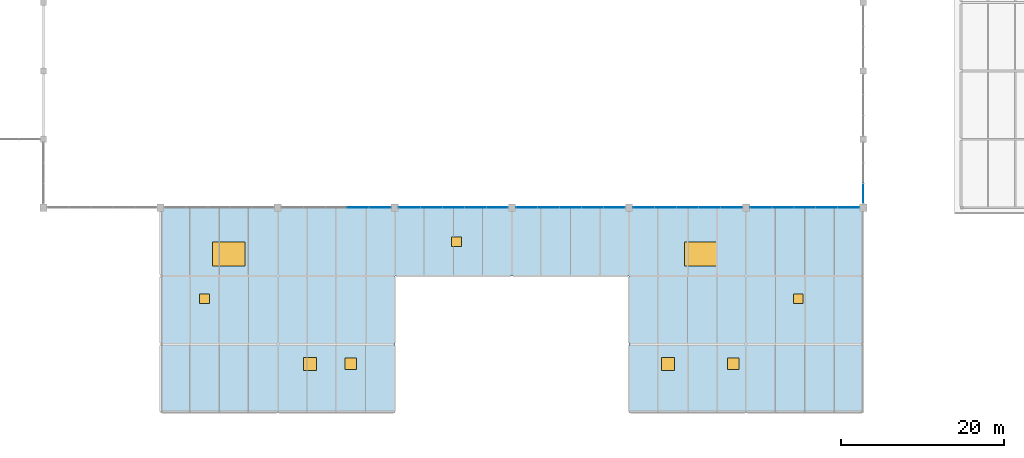
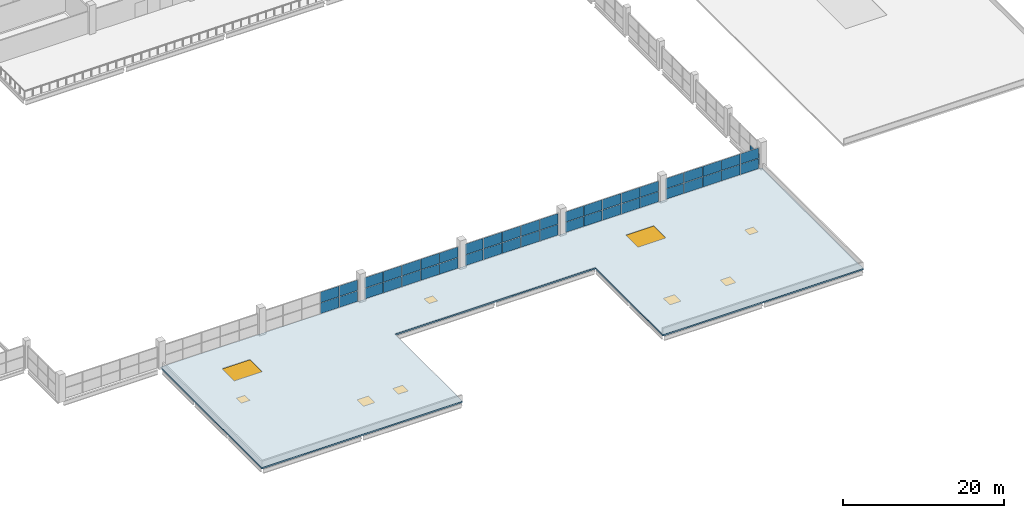
# One storey, part 70 of 93: 45 plates, 6 windows, 3 doors, 1 slab, 9 openings, 6 elements without a shape of their own.
"""IFC4 building model written with IfcOpenShell, lengths in metres."""

from ifc_helpers import new_model, si_unit, direction, frame, origin, origin_2d, place, context, subcontext, project, spatial, polyline, rectangle, outline, extrude, material, layer, layer_set, type_object, element, fill, aggregate, save


model = new_model("IFC4")

# Units and contexts
model_context = context("Model", 3, precision=1e-05, world=origin(), true_north=direction((0.0, 1.0)))
body_context = subcontext(model_context, "Body", "Model", "MODEL_VIEW")
ifc_project = project(units=[si_unit("LENGTHUNIT", "METRE"), si_unit("AREAUNIT", "SQUARE_METRE"), si_unit("VOLUMEUNIT", "CUBIC_METRE"), si_unit("PLANEANGLEUNIT", "RADIAN"), si_unit("MASSUNIT", "GRAM", prefix="KILO"), si_unit("THERMODYNAMICTEMPERATUREUNIT", "KELVIN")], contexts=[model_context])

# Site, building, storey
site_placement = place(None, origin())
site = spatial("IfcSite", under=ifc_project, at=site_placement, CompositionType="ELEMENT")
building_placement = place(site_placement, origin())
building = spatial("IfcBuilding", under=site, at=building_placement, Name="Nduvali Passage Aquatics Centre", CompositionType="ELEMENT")
storey_placement = place(building_placement, frame((0.0, 0.0, 9.0)))
storey = spatial("IfcBuildingStorey", under=building, at=storey_placement, Name="L02", CompositionType="ELEMENT", Elevation=9.0)

# Curtain wall, plate
ifc_material_1 = material(Name="Aluminium EN AW-6063 T6", Category="aluminium")
curtain_wall_type = type_object("IfcCurtainWallType", Name="ENV-CW-CLER", PredefinedType="NOTDEFINED", material=ifc_material_1)
curtain_wall_1_placement = place(storey_placement, origin())
curtain_wall_1 = element("IfcCurtainWall", 1, at=curtain_wall_1_placement, inside=storey, type_object=curtain_wall_type, Name="L02 East Passage Pool Hall Mid Clerestory 016", PredefinedType="NOTDEFINED")
ifc_material_2 = material(Name="Laminated solar-control low-E IGU")
ifc_layer_1 = layer(ifc_material_2, 0.031982421875, Name="Laminated solar-control low-E IGU")
ifc_layer_set_1 = layer_set([ifc_layer_1], Name="Laminated solar-control low-E IGU")
plate_type = type_object("IfcPlateType", Name="ENV-PLT-GLZ32", PredefinedType="CURTAIN_PANEL", material=ifc_layer_set_1)
plate_1_placement = place(storey_placement, frame((126.0, 26.927490234375, 0.06005859375), z_axis=(0.0, 0.0, 1.0), x_axis=(0.0, 1.0, 0.0)))
plate_1 = element("IfcPlate", 2, at=plate_1_placement, type_object=plate_type, Name="East Passage Pool Hall Mid Clerestory Glazed Panel B1-R1", PredefinedType="CURTAIN_PANEL", context=body_context, shape_type="SweptSolid", body=[
    extrude(rectangle(XDim=2.43505859375, YDim=0.031982421875, at=origin_2d()), origin(), (0.0, 0.0, 1.0), 1.61328125),
])
aggregate(curtain_wall_1, [plate_1])

# Curtain wall, plates
curtain_wall_2_placement = place(storey_placement, origin())
curtain_wall_2 = element("IfcCurtainWall", 3, at=curtain_wall_2_placement, inside=storey, type_object=curtain_wall_type, Name="L02 South Pool Hall Eave Clerestory 048", PredefinedType="NOTDEFINED")
plate_2_placement = place(storey_placement, frame((63.89990234375, 25.199951171875, 0.06005859375), z_axis=(0.0, 0.0, 1.0), x_axis=(1.0, 0.0, 0.0)))
plate_2 = element("IfcPlate", 4, at=plate_2_placement, type_object=plate_type, Name="South Pool Hall Eave Clerestory Glazed Panel B4-R1", PredefinedType="CURTAIN_PANEL", context=body_context, shape_type="SweptSolid", body=[
    extrude(rectangle(XDim=2.639892578125, YDim=0.031982421875, at=origin_2d()), origin(), (0.0, 0.0, 1.0), 1.60693359375),
])
plate_3_placement = place(storey_placement, frame((63.89990234375, 25.199951171875, 1.72705078125), z_axis=(0.0, 0.0, 1.0), x_axis=(1.0, 0.0, 0.0)))
plate_3 = element("IfcPlate", 5, at=plate_3_placement, type_object=plate_type, Name="South Pool Hall Eave Clerestory Glazed Panel B4-R2", PredefinedType="CURTAIN_PANEL", context=body_context, shape_type="SweptSolid", body=[
    extrude(rectangle(XDim=2.639892578125, YDim=0.031982421875, at=origin_2d()), origin(), (0.0, 0.0, 1.0), 1.60693359375),
])
plate_4_placement = place(storey_placement, frame((66.5849609375, 25.199951171875, 0.06005859375), z_axis=(0.0, 0.0, 1.0), x_axis=(1.0, 0.0, 0.0)))
plate_4 = element("IfcPlate", 6, at=plate_4_placement, type_object=plate_type, Name="South Pool Hall Eave Clerestory Glazed Panel B5-R1", PredefinedType="CURTAIN_PANEL", context=body_context, shape_type="SweptSolid", body=[
    extrude(rectangle(XDim=2.610107421875, YDim=0.031982421875, at=origin_2d()), origin(), (0.0, 0.0, 1.0), 1.60693359375),
])
plate_5_placement = place(storey_placement, frame((66.5849609375, 25.199951171875, 1.72705078125), z_axis=(0.0, 0.0, 1.0), x_axis=(1.0, 0.0, 0.0)))
plate_5 = element("IfcPlate", 7, at=plate_5_placement, type_object=plate_type, Name="South Pool Hall Eave Clerestory Glazed Panel B5-R2", PredefinedType="CURTAIN_PANEL", context=body_context, shape_type="SweptSolid", body=[
    extrude(rectangle(XDim=2.610107421875, YDim=0.031982421875, at=origin_2d()), origin(), (0.0, 0.0, 1.0), 1.60693359375),
])
aggregate(curtain_wall_2, [plate_2, plate_3, plate_4, plate_5])

curtain_wall_3_placement = place(storey_placement, origin())
curtain_wall_3 = element("IfcCurtainWall", 8, at=curtain_wall_3_placement, inside=storey, type_object=curtain_wall_type, Name="L02 South Pool Hall Eave Clerestory 049", PredefinedType="NOTDEFINED")
plate_6_placement = place(storey_placement, frame((70.215087890625, 25.199951171875, 0.06005859375), z_axis=(0.0, 0.0, 1.0), x_axis=(1.0, 0.0, 0.0)))
plate_6 = element("IfcPlate", 9, at=plate_6_placement, type_object=plate_type, Name="South Pool Hall Eave Clerestory Glazed Panel B1-R1", PredefinedType="CURTAIN_PANEL", context=body_context, shape_type="SweptSolid", body=[
    extrude(rectangle(XDim=2.610107421875, YDim=0.031982421875, at=origin_2d()), origin(), (0.0, 0.0, 1.0), 1.586181640625),
])
plate_7_placement = place(storey_placement, frame((70.215087890625, 25.199951171875, 1.70654296875), z_axis=(0.0, 0.0, 1.0), x_axis=(1.0, 0.0, 0.0)))
plate_7 = element("IfcPlate", 10, at=plate_7_placement, type_object=plate_type, Name="South Pool Hall Eave Clerestory Glazed Panel B1-R2", PredefinedType="CURTAIN_PANEL", context=body_context, shape_type="SweptSolid", body=[
    extrude(rectangle(XDim=2.610107421875, YDim=0.031982421875, at=origin_2d()), origin(), (0.0, 0.0, 1.0), 1.586181640625),
])
plate_8_placement = place(storey_placement, frame((72.89990234375, 25.199951171875, 0.06005859375), z_axis=(0.0, 0.0, 1.0), x_axis=(1.0, 0.0, 0.0)))
plate_8 = element("IfcPlate", 11, at=plate_8_placement, type_object=plate_type, Name="South Pool Hall Eave Clerestory Glazed Panel B2-R1", PredefinedType="CURTAIN_PANEL", context=body_context, shape_type="SweptSolid", body=[
    extrude(rectangle(XDim=2.639892578125, YDim=0.031982421875, at=origin_2d()), origin(), (0.0, 0.0, 1.0), 1.586181640625),
])
plate_9_placement = place(storey_placement, frame((72.89990234375, 25.199951171875, 1.70654296875), z_axis=(0.0, 0.0, 1.0), x_axis=(1.0, 0.0, 0.0)))
plate_9 = element("IfcPlate", 12, at=plate_9_placement, type_object=plate_type, Name="South Pool Hall Eave Clerestory Glazed Panel B2-R2", PredefinedType="CURTAIN_PANEL", context=body_context, shape_type="SweptSolid", body=[
    extrude(rectangle(XDim=2.639892578125, YDim=0.031982421875, at=origin_2d()), origin(), (0.0, 0.0, 1.0), 1.586181640625),
])
plate_10_placement = place(storey_placement, frame((75.60009765625, 25.199951171875, 0.06005859375), z_axis=(0.0, 0.0, 1.0), x_axis=(1.0, 0.0, 0.0)))
plate_10 = element("IfcPlate", 13, at=plate_10_placement, type_object=plate_type, Name="South Pool Hall Eave Clerestory Glazed Panel B3-R1", PredefinedType="CURTAIN_PANEL", context=body_context, shape_type="SweptSolid", body=[
    extrude(rectangle(XDim=2.639892578125, YDim=0.031982421875, at=origin_2d()), origin(), (0.0, 0.0, 1.0), 1.586181640625),
])
plate_11_placement = place(storey_placement, frame((75.60009765625, 25.199951171875, 1.70654296875), z_axis=(0.0, 0.0, 1.0), x_axis=(1.0, 0.0, 0.0)))
plate_11 = element("IfcPlate", 14, at=plate_11_placement, type_object=plate_type, Name="South Pool Hall Eave Clerestory Glazed Panel B3-R2", PredefinedType="CURTAIN_PANEL", context=body_context, shape_type="SweptSolid", body=[
    extrude(rectangle(XDim=2.639892578125, YDim=0.031982421875, at=origin_2d()), origin(), (0.0, 0.0, 1.0), 1.586181640625),
])
plate_12_placement = place(storey_placement, frame((78.300048828125, 25.199951171875, 0.06005859375), z_axis=(0.0, 0.0, 1.0), x_axis=(1.0, 0.0, 0.0)))
plate_12 = element("IfcPlate", 15, at=plate_12_placement, type_object=plate_type, Name="South Pool Hall Eave Clerestory Glazed Panel B4-R1", PredefinedType="CURTAIN_PANEL", context=body_context, shape_type="SweptSolid", body=[
    extrude(rectangle(XDim=2.639892578125, YDim=0.031982421875, at=origin_2d()), origin(), (0.0, 0.0, 1.0), 1.586181640625),
])
plate_13_placement = place(storey_placement, frame((78.300048828125, 25.199951171875, 1.70654296875), z_axis=(0.0, 0.0, 1.0), x_axis=(1.0, 0.0, 0.0)))
plate_13 = element("IfcPlate", 16, at=plate_13_placement, type_object=plate_type, Name="South Pool Hall Eave Clerestory Glazed Panel B4-R2", PredefinedType="CURTAIN_PANEL", context=body_context, shape_type="SweptSolid", body=[
    extrude(rectangle(XDim=2.639892578125, YDim=0.031982421875, at=origin_2d()), origin(), (0.0, 0.0, 1.0), 1.586181640625),
])
plate_14_placement = place(storey_placement, frame((80.985107421875, 25.199951171875, 0.06005859375), z_axis=(0.0, 0.0, 1.0), x_axis=(1.0, 0.0, 0.0)))
plate_14 = element("IfcPlate", 17, at=plate_14_placement, type_object=plate_type, Name="South Pool Hall Eave Clerestory Glazed Panel B5-R1", PredefinedType="CURTAIN_PANEL", context=body_context, shape_type="SweptSolid", body=[
    extrude(rectangle(XDim=2.610107421875, YDim=0.031982421875, at=origin_2d()), origin(), (0.0, 0.0, 1.0), 1.586181640625),
])
plate_15_placement = place(storey_placement, frame((80.985107421875, 25.199951171875, 1.70654296875), z_axis=(0.0, 0.0, 1.0), x_axis=(1.0, 0.0, 0.0)))
plate_15 = element("IfcPlate", 18, at=plate_15_placement, type_object=plate_type, Name="South Pool Hall Eave Clerestory Glazed Panel B5-R2", PredefinedType="CURTAIN_PANEL", context=body_context, shape_type="SweptSolid", body=[
    extrude(rectangle(XDim=2.610107421875, YDim=0.031982421875, at=origin_2d()), origin(), (0.0, 0.0, 1.0), 1.586181640625),
])
aggregate(curtain_wall_3, [plate_6, plate_7, plate_8, plate_9, plate_10, plate_11, plate_12, plate_13, plate_14, plate_15])

curtain_wall_4_placement = place(storey_placement, origin())
curtain_wall_4 = element("IfcCurtainWall", 19, at=curtain_wall_4_placement, inside=storey, type_object=curtain_wall_type, Name="L02 South Pool Hall Eave Clerestory 050", PredefinedType="NOTDEFINED")
plate_16_placement = place(storey_placement, frame((84.614990234375, 25.199951171875, 0.06005859375), z_axis=(0.0, 0.0, 1.0), x_axis=(1.0, 0.0, 0.0)))
plate_16 = element("IfcPlate", 20, at=plate_16_placement, type_object=plate_type, Name="South Pool Hall Eave Clerestory Glazed Panel B1-R1", PredefinedType="CURTAIN_PANEL", context=body_context, shape_type="SweptSolid", body=[
    extrude(rectangle(XDim=2.610107421875, YDim=0.031982421875, at=origin_2d()), origin(), (0.0, 0.0, 1.0), 1.60693359375),
])
plate_17_placement = place(storey_placement, frame((84.614990234375, 25.199951171875, 1.72705078125), z_axis=(0.0, 0.0, 1.0), x_axis=(1.0, 0.0, 0.0)))
plate_17 = element("IfcPlate", 21, at=plate_17_placement, type_object=plate_type, Name="South Pool Hall Eave Clerestory Glazed Panel B1-R2", PredefinedType="CURTAIN_PANEL", context=body_context, shape_type="SweptSolid", body=[
    extrude(rectangle(XDim=2.610107421875, YDim=0.031982421875, at=origin_2d()), origin(), (0.0, 0.0, 1.0), 1.60693359375),
])
plate_18_placement = place(storey_placement, frame((87.300048828125, 25.199951171875, 0.06005859375), z_axis=(0.0, 0.0, 1.0), x_axis=(1.0, 0.0, 0.0)))
plate_18 = element("IfcPlate", 22, at=plate_18_placement, type_object=plate_type, Name="South Pool Hall Eave Clerestory Glazed Panel B2-R1", PredefinedType="CURTAIN_PANEL", context=body_context, shape_type="SweptSolid", body=[
    extrude(rectangle(XDim=2.639892578125, YDim=0.031982421875, at=origin_2d()), origin(), (0.0, 0.0, 1.0), 1.60693359375),
])
plate_19_placement = place(storey_placement, frame((87.300048828125, 25.199951171875, 1.72705078125), z_axis=(0.0, 0.0, 1.0), x_axis=(1.0, 0.0, 0.0)))
plate_19 = element("IfcPlate", 23, at=plate_19_placement, type_object=plate_type, Name="South Pool Hall Eave Clerestory Glazed Panel B2-R2", PredefinedType="CURTAIN_PANEL", context=body_context, shape_type="SweptSolid", body=[
    extrude(rectangle(XDim=2.639892578125, YDim=0.031982421875, at=origin_2d()), origin(), (0.0, 0.0, 1.0), 1.60693359375),
])
plate_20_placement = place(storey_placement, frame((90.0, 25.199951171875, 0.06005859375), z_axis=(0.0, 0.0, 1.0), x_axis=(1.0, 0.0, 0.0)))
plate_20 = element("IfcPlate", 24, at=plate_20_placement, type_object=plate_type, Name="South Pool Hall Eave Clerestory Glazed Panel B3-R1", PredefinedType="CURTAIN_PANEL", context=body_context, shape_type="SweptSolid", body=[
    extrude(rectangle(XDim=2.639892578125, YDim=0.031982421875, at=origin_2d()), origin(), (0.0, 0.0, 1.0), 1.60693359375),
])
plate_21_placement = place(storey_placement, frame((90.0, 25.199951171875, 1.72705078125), z_axis=(0.0, 0.0, 1.0), x_axis=(1.0, 0.0, 0.0)))
plate_21 = element("IfcPlate", 25, at=plate_21_placement, type_object=plate_type, Name="South Pool Hall Eave Clerestory Glazed Panel B3-R2", PredefinedType="CURTAIN_PANEL", context=body_context, shape_type="SweptSolid", body=[
    extrude(rectangle(XDim=2.639892578125, YDim=0.031982421875, at=origin_2d()), origin(), (0.0, 0.0, 1.0), 1.60693359375),
])
plate_22_placement = place(storey_placement, frame((92.699951171875, 25.199951171875, 0.06005859375), z_axis=(0.0, 0.0, 1.0), x_axis=(1.0, 0.0, 0.0)))
plate_22 = element("IfcPlate", 26, at=plate_22_placement, type_object=plate_type, Name="South Pool Hall Eave Clerestory Glazed Panel B4-R1", PredefinedType="CURTAIN_PANEL", context=body_context, shape_type="SweptSolid", body=[
    extrude(rectangle(XDim=2.639892578125, YDim=0.031982421875, at=origin_2d()), origin(), (0.0, 0.0, 1.0), 1.60693359375),
])
plate_23_placement = place(storey_placement, frame((92.699951171875, 25.199951171875, 1.72705078125), z_axis=(0.0, 0.0, 1.0), x_axis=(1.0, 0.0, 0.0)))
plate_23 = element("IfcPlate", 27, at=plate_23_placement, type_object=plate_type, Name="South Pool Hall Eave Clerestory Glazed Panel B4-R2", PredefinedType="CURTAIN_PANEL", context=body_context, shape_type="SweptSolid", body=[
    extrude(rectangle(XDim=2.639892578125, YDim=0.031982421875, at=origin_2d()), origin(), (0.0, 0.0, 1.0), 1.60693359375),
])
plate_24_placement = place(storey_placement, frame((95.385009765625, 25.199951171875, 0.06005859375), z_axis=(0.0, 0.0, 1.0), x_axis=(1.0, 0.0, 0.0)))
plate_24 = element("IfcPlate", 28, at=plate_24_placement, type_object=plate_type, Name="South Pool Hall Eave Clerestory Glazed Panel B5-R1", PredefinedType="CURTAIN_PANEL", context=body_context, shape_type="SweptSolid", body=[
    extrude(rectangle(XDim=2.610107421875, YDim=0.031982421875, at=origin_2d()), origin(), (0.0, 0.0, 1.0), 1.60693359375),
])
plate_25_placement = place(storey_placement, frame((95.385009765625, 25.199951171875, 1.72705078125), z_axis=(0.0, 0.0, 1.0), x_axis=(1.0, 0.0, 0.0)))
plate_25 = element("IfcPlate", 29, at=plate_25_placement, type_object=plate_type, Name="South Pool Hall Eave Clerestory Glazed Panel B5-R2", PredefinedType="CURTAIN_PANEL", context=body_context, shape_type="SweptSolid", body=[
    extrude(rectangle(XDim=2.610107421875, YDim=0.031982421875, at=origin_2d()), origin(), (0.0, 0.0, 1.0), 1.60693359375),
])
aggregate(curtain_wall_4, [plate_16, plate_17, plate_18, plate_19, plate_20, plate_21, plate_22, plate_23, plate_24, plate_25])

curtain_wall_5_placement = place(storey_placement, origin())
curtain_wall_5 = element("IfcCurtainWall", 30, at=curtain_wall_5_placement, inside=storey, type_object=curtain_wall_type, Name="L02 South Pool Hall Eave Clerestory 051", PredefinedType="NOTDEFINED")
plate_26_placement = place(storey_placement, frame((99.014892578125, 25.199951171875, 0.06005859375), z_axis=(0.0, 0.0, 1.0), x_axis=(1.0, 0.0, 0.0)))
plate_26 = element("IfcPlate", 31, at=plate_26_placement, type_object=plate_type, Name="South Pool Hall Eave Clerestory Glazed Panel B1-R1", PredefinedType="CURTAIN_PANEL", context=body_context, shape_type="SweptSolid", body=[
    extrude(rectangle(XDim=2.610107421875, YDim=0.031982421875, at=origin_2d()), origin(), (0.0, 0.0, 1.0), 1.541259765625),
])
plate_27_placement = place(storey_placement, frame((99.014892578125, 25.199951171875, 1.6611328125), z_axis=(0.0, 0.0, 1.0), x_axis=(1.0, 0.0, 0.0)))
plate_27 = element("IfcPlate", 32, at=plate_27_placement, type_object=plate_type, Name="South Pool Hall Eave Clerestory Glazed Panel B1-R2", PredefinedType="CURTAIN_PANEL", context=body_context, shape_type="SweptSolid", body=[
    extrude(rectangle(XDim=2.610107421875, YDim=0.031982421875, at=origin_2d()), origin(), (0.0, 0.0, 1.0), 1.541259765625),
])
plate_28_placement = place(storey_placement, frame((101.699951171875, 25.199951171875, 0.06005859375), z_axis=(0.0, 0.0, 1.0), x_axis=(1.0, 0.0, 0.0)))
plate_28 = element("IfcPlate", 33, at=plate_28_placement, type_object=plate_type, Name="South Pool Hall Eave Clerestory Glazed Panel B2-R1", PredefinedType="CURTAIN_PANEL", context=body_context, shape_type="SweptSolid", body=[
    extrude(rectangle(XDim=2.639892578125, YDim=0.031982421875, at=origin_2d()), origin(), (0.0, 0.0, 1.0), 1.541259765625),
])
plate_29_placement = place(storey_placement, frame((101.699951171875, 25.199951171875, 1.6611328125), z_axis=(0.0, 0.0, 1.0), x_axis=(1.0, 0.0, 0.0)))
plate_29 = element("IfcPlate", 34, at=plate_29_placement, type_object=plate_type, Name="South Pool Hall Eave Clerestory Glazed Panel B2-R2", PredefinedType="CURTAIN_PANEL", context=body_context, shape_type="SweptSolid", body=[
    extrude(rectangle(XDim=2.639892578125, YDim=0.031982421875, at=origin_2d()), origin(), (0.0, 0.0, 1.0), 1.541259765625),
])
plate_30_placement = place(storey_placement, frame((104.39990234375, 25.199951171875, 0.06005859375), z_axis=(0.0, 0.0, 1.0), x_axis=(1.0, 0.0, 0.0)))
plate_30 = element("IfcPlate", 35, at=plate_30_placement, type_object=plate_type, Name="South Pool Hall Eave Clerestory Glazed Panel B3-R1", PredefinedType="CURTAIN_PANEL", context=body_context, shape_type="SweptSolid", body=[
    extrude(rectangle(XDim=2.639892578125, YDim=0.031982421875, at=origin_2d()), origin(), (0.0, 0.0, 1.0), 1.541259765625),
])
plate_31_placement = place(storey_placement, frame((104.39990234375, 25.199951171875, 1.6611328125), z_axis=(0.0, 0.0, 1.0), x_axis=(1.0, 0.0, 0.0)))
plate_31 = element("IfcPlate", 36, at=plate_31_placement, type_object=plate_type, Name="South Pool Hall Eave Clerestory Glazed Panel B3-R2", PredefinedType="CURTAIN_PANEL", context=body_context, shape_type="SweptSolid", body=[
    extrude(rectangle(XDim=2.639892578125, YDim=0.031982421875, at=origin_2d()), origin(), (0.0, 0.0, 1.0), 1.541259765625),
])
plate_32_placement = place(storey_placement, frame((107.10009765625, 25.199951171875, 0.06005859375), z_axis=(0.0, 0.0, 1.0), x_axis=(1.0, 0.0, 0.0)))
plate_32 = element("IfcPlate", 37, at=plate_32_placement, type_object=plate_type, Name="South Pool Hall Eave Clerestory Glazed Panel B4-R1", PredefinedType="CURTAIN_PANEL", context=body_context, shape_type="SweptSolid", body=[
    extrude(rectangle(XDim=2.639892578125, YDim=0.031982421875, at=origin_2d()), origin(), (0.0, 0.0, 1.0), 1.541259765625),
])
plate_33_placement = place(storey_placement, frame((107.10009765625, 25.199951171875, 1.6611328125), z_axis=(0.0, 0.0, 1.0), x_axis=(1.0, 0.0, 0.0)))
plate_33 = element("IfcPlate", 38, at=plate_33_placement, type_object=plate_type, Name="South Pool Hall Eave Clerestory Glazed Panel B4-R2", PredefinedType="CURTAIN_PANEL", context=body_context, shape_type="SweptSolid", body=[
    extrude(rectangle(XDim=2.639892578125, YDim=0.031982421875, at=origin_2d()), origin(), (0.0, 0.0, 1.0), 1.541259765625),
])
plate_34_placement = place(storey_placement, frame((109.784912109375, 25.199951171875, 0.06005859375), z_axis=(0.0, 0.0, 1.0), x_axis=(1.0, 0.0, 0.0)))
plate_34 = element("IfcPlate", 39, at=plate_34_placement, type_object=plate_type, Name="South Pool Hall Eave Clerestory Glazed Panel B5-R1", PredefinedType="CURTAIN_PANEL", context=body_context, shape_type="SweptSolid", body=[
    extrude(rectangle(XDim=2.610107421875, YDim=0.031982421875, at=origin_2d()), origin(), (0.0, 0.0, 1.0), 1.541259765625),
])
plate_35_placement = place(storey_placement, frame((109.784912109375, 25.199951171875, 1.6611328125), z_axis=(0.0, 0.0, 1.0), x_axis=(1.0, 0.0, 0.0)))
plate_35 = element("IfcPlate", 40, at=plate_35_placement, type_object=plate_type, Name="South Pool Hall Eave Clerestory Glazed Panel B5-R2", PredefinedType="CURTAIN_PANEL", context=body_context, shape_type="SweptSolid", body=[
    extrude(rectangle(XDim=2.610107421875, YDim=0.031982421875, at=origin_2d()), origin(), (0.0, 0.0, 1.0), 1.541259765625),
])
aggregate(curtain_wall_5, [plate_26, plate_27, plate_28, plate_29, plate_30, plate_31, plate_32, plate_33, plate_34, plate_35])

curtain_wall_6_placement = place(storey_placement, origin())
curtain_wall_6 = element("IfcCurtainWall", 41, at=curtain_wall_6_placement, inside=storey, type_object=curtain_wall_type, Name="L02 South Pool Hall Eave Clerestory 052", PredefinedType="NOTDEFINED")
plate_36_placement = place(storey_placement, frame((113.4150390625, 25.199951171875, 0.06005859375), z_axis=(0.0, 0.0, 1.0), x_axis=(1.0, 0.0, 0.0)))
plate_36 = element("IfcPlate", 42, at=plate_36_placement, type_object=plate_type, Name="South Pool Hall Eave Clerestory Glazed Panel B1-R1", PredefinedType="CURTAIN_PANEL", context=body_context, shape_type="SweptSolid", body=[
    extrude(rectangle(XDim=2.610107421875, YDim=0.031982421875, at=origin_2d()), origin(), (0.0, 0.0, 1.0), 1.541259765625),
])
plate_37_placement = place(storey_placement, frame((113.4150390625, 25.199951171875, 1.6611328125), z_axis=(0.0, 0.0, 1.0), x_axis=(1.0, 0.0, 0.0)))
plate_37 = element("IfcPlate", 43, at=plate_37_placement, type_object=plate_type, Name="South Pool Hall Eave Clerestory Glazed Panel B1-R2", PredefinedType="CURTAIN_PANEL", context=body_context, shape_type="SweptSolid", body=[
    extrude(rectangle(XDim=2.610107421875, YDim=0.031982421875, at=origin_2d()), origin(), (0.0, 0.0, 1.0), 1.541259765625),
])
plate_38_placement = place(storey_placement, frame((116.10009765625, 25.199951171875, 0.06005859375), z_axis=(0.0, 0.0, 1.0), x_axis=(1.0, 0.0, 0.0)))
plate_38 = element("IfcPlate", 44, at=plate_38_placement, type_object=plate_type, Name="South Pool Hall Eave Clerestory Glazed Panel B2-R1", PredefinedType="CURTAIN_PANEL", context=body_context, shape_type="SweptSolid", body=[
    extrude(rectangle(XDim=2.639892578125, YDim=0.031982421875, at=origin_2d()), origin(), (0.0, 0.0, 1.0), 1.541259765625),
])
plate_39_placement = place(storey_placement, frame((116.10009765625, 25.199951171875, 1.6611328125), z_axis=(0.0, 0.0, 1.0), x_axis=(1.0, 0.0, 0.0)))
plate_39 = element("IfcPlate", 45, at=plate_39_placement, type_object=plate_type, Name="South Pool Hall Eave Clerestory Glazed Panel B2-R2", PredefinedType="CURTAIN_PANEL", context=body_context, shape_type="SweptSolid", body=[
    extrude(rectangle(XDim=2.639892578125, YDim=0.031982421875, at=origin_2d()), origin(), (0.0, 0.0, 1.0), 1.541259765625),
])
plate_40_placement = place(storey_placement, frame((118.800048828125, 25.199951171875, 0.06005859375), z_axis=(0.0, 0.0, 1.0), x_axis=(1.0, 0.0, 0.0)))
plate_40 = element("IfcPlate", 46, at=plate_40_placement, type_object=plate_type, Name="South Pool Hall Eave Clerestory Glazed Panel B3-R1", PredefinedType="CURTAIN_PANEL", context=body_context, shape_type="SweptSolid", body=[
    extrude(rectangle(XDim=2.639892578125, YDim=0.031982421875, at=origin_2d()), origin(), (0.0, 0.0, 1.0), 1.541259765625),
])
plate_41_placement = place(storey_placement, frame((118.800048828125, 25.199951171875, 1.6611328125), z_axis=(0.0, 0.0, 1.0), x_axis=(1.0, 0.0, 0.0)))
plate_41 = element("IfcPlate", 47, at=plate_41_placement, type_object=plate_type, Name="South Pool Hall Eave Clerestory Glazed Panel B3-R2", PredefinedType="CURTAIN_PANEL", context=body_context, shape_type="SweptSolid", body=[
    extrude(rectangle(XDim=2.639892578125, YDim=0.031982421875, at=origin_2d()), origin(), (0.0, 0.0, 1.0), 1.541259765625),
])
plate_42_placement = place(storey_placement, frame((121.5, 25.199951171875, 0.06005859375), z_axis=(0.0, 0.0, 1.0), x_axis=(1.0, 0.0, 0.0)))
plate_42 = element("IfcPlate", 48, at=plate_42_placement, type_object=plate_type, Name="South Pool Hall Eave Clerestory Glazed Panel B4-R1", PredefinedType="CURTAIN_PANEL", context=body_context, shape_type="SweptSolid", body=[
    extrude(rectangle(XDim=2.639892578125, YDim=0.031982421875, at=origin_2d()), origin(), (0.0, 0.0, 1.0), 1.541259765625),
])
plate_43_placement = place(storey_placement, frame((121.5, 25.199951171875, 1.6611328125), z_axis=(0.0, 0.0, 1.0), x_axis=(1.0, 0.0, 0.0)))
plate_43 = element("IfcPlate", 49, at=plate_43_placement, type_object=plate_type, Name="South Pool Hall Eave Clerestory Glazed Panel B4-R2", PredefinedType="CURTAIN_PANEL", context=body_context, shape_type="SweptSolid", body=[
    extrude(rectangle(XDim=2.639892578125, YDim=0.031982421875, at=origin_2d()), origin(), (0.0, 0.0, 1.0), 1.541259765625),
])
plate_44_placement = place(storey_placement, frame((124.18505859375, 25.199951171875, 0.06005859375), z_axis=(0.0, 0.0, 1.0), x_axis=(1.0, 0.0, 0.0)))
plate_44 = element("IfcPlate", 50, at=plate_44_placement, type_object=plate_type, Name="South Pool Hall Eave Clerestory Glazed Panel B5-R1", PredefinedType="CURTAIN_PANEL", context=body_context, shape_type="SweptSolid", body=[
    extrude(rectangle(XDim=2.610107421875, YDim=0.031982421875, at=origin_2d()), origin(), (0.0, 0.0, 1.0), 1.541259765625),
])
plate_45_placement = place(storey_placement, frame((124.18505859375, 25.199951171875, 1.6611328125), z_axis=(0.0, 0.0, 1.0), x_axis=(1.0, 0.0, 0.0)))
plate_45 = element("IfcPlate", 51, at=plate_45_placement, type_object=plate_type, Name="South Pool Hall Eave Clerestory Glazed Panel B5-R2", PredefinedType="CURTAIN_PANEL", context=body_context, shape_type="SweptSolid", body=[
    extrude(rectangle(XDim=2.610107421875, YDim=0.031982421875, at=origin_2d()), origin(), (0.0, 0.0, 1.0), 1.541259765625),
])
aggregate(curtain_wall_6, [plate_36, plate_37, plate_38, plate_39, plate_40, plate_41, plate_42, plate_43, plate_44, plate_45])

# Slab, openings, doors, windows
ifc_material_3 = material(Name="Concrete C40/50", Category="concrete")
ifc_layer_2 = layer(ifc_material_3, 0.219970703125, Name="Concrete C40/50")
ifc_layer_set_2 = layer_set([ifc_layer_2], Name="Concrete C40/50")
slab_type = type_object("IfcSlabType", Name="STR-SLB-ROOF220", PredefinedType="ROOF", material=ifc_layer_set_2)
slab_placement = place(storey_placement, frame((0.0, 0.0, -0.219970703125)))
slab = element("IfcSlab", 52, at=slab_placement, inside=storey, type_object=slab_type, Name="L02 Changing Villages Flat Roof Slab", PredefinedType="ROOF", context=body_context, shape_type="SweptSolid", body=[
    extrude(outline(polyline([(39.60009765625, 0.0), (68.39990234375, 0.0), (68.39990234375, 16.800048828125), (97.199951171875, 16.800048828125), (97.199951171875, 0.0), (126.0, 0.0), (126.0, 25.199951171875), (39.60009765625, 25.199951171875), (39.60009765625, 0.0)])), origin(), (0.0, 0.0, 1.0), 0.219970703125),
])
opening_1_placement = place(slab_placement, frame((48.0, 19.5, -0.014892578125)))
opening_1 = element("IfcOpeningElement", 53, at=opening_1_placement, cuts=slab, Name="Opening SK1", PredefinedType="OPENING", context=body_context, shape_type="SweptSolid", body=[
    extrude(rectangle(XDim=4.0, YDim=3.0, at=origin_2d()), origin(), (0.0, 0.0, 1.0), 0.249755859375),
])
opening_2_placement = place(slab_placement, frame((106.0, 19.5, -0.014892578125)))
opening_2 = element("IfcOpeningElement", 54, at=opening_2_placement, cuts=slab, Name="Opening SK1", PredefinedType="OPENING", context=body_context, shape_type="SweptSolid", body=[
    extrude(rectangle(XDim=4.0, YDim=3.0, at=origin_2d()), origin(), (0.0, 0.0, 1.0), 0.249755859375),
])
opening_3_placement = place(slab_placement, frame((58.0, 6.0, -0.014892578125)))
opening_3 = element("IfcOpeningElement", 55, at=opening_3_placement, cuts=slab, Name="Opening LDM1", PredefinedType="OPENING", context=body_context, shape_type="SweptSolid", body=[
    extrude(rectangle(XDim=1.60009765625, YDim=1.60009765625, at=origin_2d()), origin(), (0.0, 0.0, 1.0), 0.249755859375),
])
opening_4_placement = place(slab_placement, frame((63.0, 6.0, -0.014892578125)))
opening_4 = element("IfcOpeningElement", 56, at=opening_4_placement, cuts=slab, Name="Opening LDM2", PredefinedType="OPENING", context=body_context, shape_type="SweptSolid", body=[
    extrude(rectangle(XDim=1.39990234375, YDim=1.39990234375, at=origin_2d()), origin(), (0.0, 0.0, 1.0), 0.249755859375),
])
opening_5_placement = place(slab_placement, frame((102.0, 6.0, -0.014892578125)))
opening_5 = element("IfcOpeningElement", 57, at=opening_5_placement, cuts=slab, Name="Opening LDM1", PredefinedType="OPENING", context=body_context, shape_type="SweptSolid", body=[
    extrude(rectangle(XDim=1.60009765625, YDim=1.60009765625, at=origin_2d()), origin(), (0.0, 0.0, 1.0), 0.249755859375),
])
opening_6_placement = place(slab_placement, frame((110.0, 6.0, -0.014892578125)))
opening_6 = element("IfcOpeningElement", 58, at=opening_6_placement, cuts=slab, Name="Opening LDM2", PredefinedType="OPENING", context=body_context, shape_type="SweptSolid", body=[
    extrude(rectangle(XDim=1.39990234375, YDim=1.39990234375, at=origin_2d()), origin(), (0.0, 0.0, 1.0), 0.249755859375),
])
opening_7_placement = place(slab_placement, frame((45.0, 14.0, -0.014892578125)))
opening_7 = element("IfcOpeningElement", 59, at=opening_7_placement, cuts=slab, Name="Opening RH1", PredefinedType="OPENING", context=body_context, shape_type="SweptSolid", body=[
    extrude(rectangle(XDim=1.199951171875, YDim=1.199951171875, at=origin_2d()), origin(), (0.0, 0.0, 1.0), 0.249755859375),
])
opening_8_placement = place(slab_placement, frame((118.0, 14.0, -0.014892578125)))
opening_8 = element("IfcOpeningElement", 60, at=opening_8_placement, cuts=slab, Name="Opening RH1", PredefinedType="OPENING", context=body_context, shape_type="SweptSolid", body=[
    extrude(rectangle(XDim=1.199951171875, YDim=1.199951171875, at=origin_2d()), origin(), (0.0, 0.0, 1.0), 0.249755859375),
])
opening_9_placement = place(slab_placement, frame((76.0, 21.0, -0.014892578125)))
opening_9 = element("IfcOpeningElement", 61, at=opening_9_placement, cuts=slab, Name="Opening RH1", PredefinedType="OPENING", context=body_context, shape_type="SweptSolid", body=[
    extrude(rectangle(XDim=1.199951171875, YDim=1.199951171875, at=origin_2d()), origin(), (0.0, 0.0, 1.0), 0.249755859375),
])
ifc_material_4 = material(Name="Galvanised steel door", Category="steel")
door_type = type_object("IfcDoorType", Name="ENV-TR-RH120", OperationType="SWING_FIXED_LEFT", PredefinedType="TRAPDOOR", material=ifc_material_4)
door_1_placement = place(opening_7_placement, frame((0.0, 0.0, 0.184814453125)))
door_1 = element("IfcDoor", 62, at=door_1_placement, inside=storey, type_object=door_type, Name="L02 Roof Maintenance Access Hatch 01", OperationType="SWING_FIXED_LEFT", OverallHeight=1.199951171875, OverallWidth=1.199951171875, PredefinedType="TRAPDOOR", context=body_context, shape_type="SweptSolid", body=[
    extrude(rectangle(XDim=1.199951171875, YDim=1.199951171875, at=origin_2d()), origin(), (0.0, 0.0, 1.0), 0.050048828125),
])
fill(opening_7, door_1)
door_2_placement = place(opening_8_placement, frame((0.0, 0.0, 0.184814453125)))
door_2 = element("IfcDoor", 63, at=door_2_placement, inside=storey, type_object=door_type, Name="L02 Roof Maintenance Access Hatch 02", OperationType="SWING_FIXED_LEFT", OverallHeight=1.199951171875, OverallWidth=1.199951171875, PredefinedType="TRAPDOOR", context=body_context, shape_type="SweptSolid", body=[
    extrude(rectangle(XDim=1.199951171875, YDim=1.199951171875, at=origin_2d()), origin(), (0.0, 0.0, 1.0), 0.050048828125),
])
fill(opening_8, door_2)
door_3_placement = place(opening_9_placement, frame((0.0, 0.0, 0.184814453125)))
door_3 = element("IfcDoor", 64, at=door_3_placement, inside=storey, type_object=door_type, Name="L02 Roof Maintenance Access Hatch 03", OperationType="SWING_FIXED_LEFT", OverallHeight=1.199951171875, OverallWidth=1.199951171875, PredefinedType="TRAPDOOR", context=body_context, shape_type="SweptSolid", body=[
    extrude(rectangle(XDim=1.199951171875, YDim=1.199951171875, at=origin_2d()), origin(), (0.0, 0.0, 1.0), 0.050048828125),
])
fill(opening_9, door_3)
ifc_material_5 = material(Name="Aluminium-framed solar-control low-E IGU", Category="aluminium")
window_type_1 = type_object("IfcWindowType", Name="ENV-WIN-DOME1", PartitioningType="SINGLE_PANEL", PredefinedType="LIGHTDOME", material=ifc_material_5)
window_1_placement = place(opening_3_placement, frame((0.0, 0.0, 0.184814453125)))
window_1 = element("IfcWindow", 65, at=window_1_placement, inside=storey, type_object=window_type_1, Name="L02 Roof Daylight Dome 01", OverallHeight=1.60009765625, OverallWidth=1.60009765625, PartitioningType="SINGLE_PANEL", PredefinedType="LIGHTDOME", context=body_context, shape_type="SweptSolid", body=[
    extrude(rectangle(XDim=1.60009765625, YDim=1.60009765625, at=origin_2d()), origin(), (0.0, 0.0, 1.0), 0.050048828125),
])
fill(opening_3, window_1)
window_2_placement = place(opening_5_placement, frame((0.0, 0.0, 0.184814453125)))
window_2 = element("IfcWindow", 66, at=window_2_placement, inside=storey, type_object=window_type_1, Name="L02 Roof Daylight Dome 03", OverallHeight=1.60009765625, OverallWidth=1.60009765625, PartitioningType="SINGLE_PANEL", PredefinedType="LIGHTDOME", context=body_context, shape_type="SweptSolid", body=[
    extrude(rectangle(XDim=1.60009765625, YDim=1.60009765625, at=origin_2d()), origin(), (0.0, 0.0, 1.0), 0.050048828125),
])
fill(opening_5, window_2)
window_type_2 = type_object("IfcWindowType", Name="ENV-WIN-DOME2", PartitioningType="SINGLE_PANEL", PredefinedType="LIGHTDOME", material=ifc_material_5)
window_3_placement = place(opening_4_placement, frame((0.0, 0.0, 0.184814453125)))
window_3 = element("IfcWindow", 67, at=window_3_placement, inside=storey, type_object=window_type_2, Name="L02 Roof Daylight Dome 02", OverallHeight=1.39990234375, OverallWidth=1.39990234375, PartitioningType="SINGLE_PANEL", PredefinedType="LIGHTDOME", context=body_context, shape_type="SweptSolid", body=[
    extrude(rectangle(XDim=1.39990234375, YDim=1.39990234375, at=origin_2d()), origin(), (0.0, 0.0, 1.0), 0.050048828125),
])
fill(opening_4, window_3)
window_4_placement = place(opening_6_placement, frame((0.0, 0.0, 0.184814453125)))
window_4 = element("IfcWindow", 68, at=window_4_placement, inside=storey, type_object=window_type_2, Name="L02 Roof Daylight Dome 04", OverallHeight=1.39990234375, OverallWidth=1.39990234375, PartitioningType="SINGLE_PANEL", PredefinedType="LIGHTDOME", context=body_context, shape_type="SweptSolid", body=[
    extrude(rectangle(XDim=1.39990234375, YDim=1.39990234375, at=origin_2d()), origin(), (0.0, 0.0, 1.0), 0.050048828125),
])
fill(opening_6, window_4)
window_type_3 = type_object("IfcWindowType", Name="ENV-WIN-SKY1", PartitioningType="SINGLE_PANEL", PredefinedType="SKYLIGHT", material=ifc_material_5)
window_5_placement = place(opening_1_placement, frame((0.0, 0.0, 0.184814453125)))
window_5 = element("IfcWindow", 69, at=window_5_placement, inside=storey, type_object=window_type_3, Name="V4 West Changing Skylight", OverallHeight=3.0, OverallWidth=4.0, PartitioningType="SINGLE_PANEL", PredefinedType="SKYLIGHT", context=body_context, shape_type="SweptSolid", body=[
    extrude(rectangle(XDim=4.0, YDim=3.0, at=origin_2d()), origin(), (0.0, 0.0, 1.0), 0.050048828125),
])
fill(opening_1, window_5)
window_6_placement = place(opening_2_placement, frame((0.0, 0.0, 0.184814453125)))
window_6 = element("IfcWindow", 70, at=window_6_placement, inside=storey, type_object=window_type_3, Name="V4 East Changing Skylight", OverallHeight=3.0, OverallWidth=4.0, PartitioningType="SINGLE_PANEL", PredefinedType="SKYLIGHT", context=body_context, shape_type="SweptSolid", body=[
    extrude(rectangle(XDim=4.0, YDim=3.0, at=origin_2d()), origin(), (0.0, 0.0, 1.0), 0.050048828125),
])
fill(opening_2, window_6)

save(model, "model.ifc")
